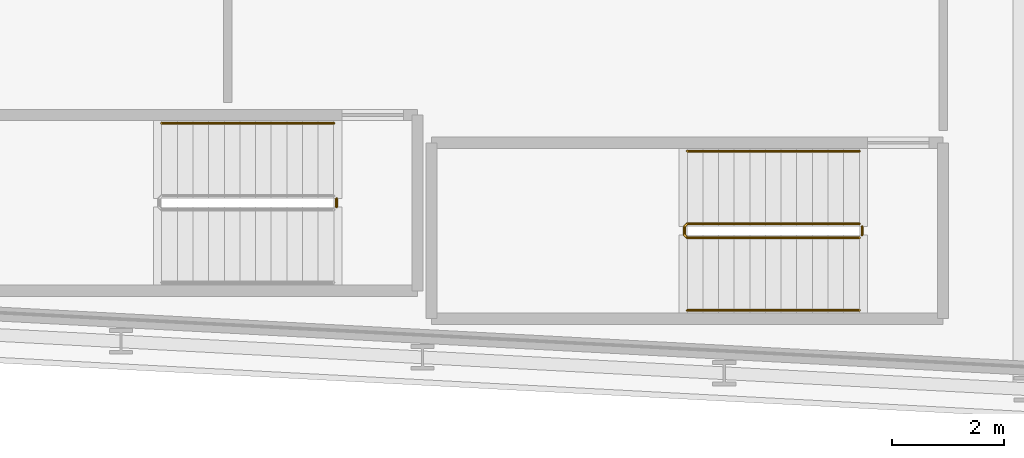
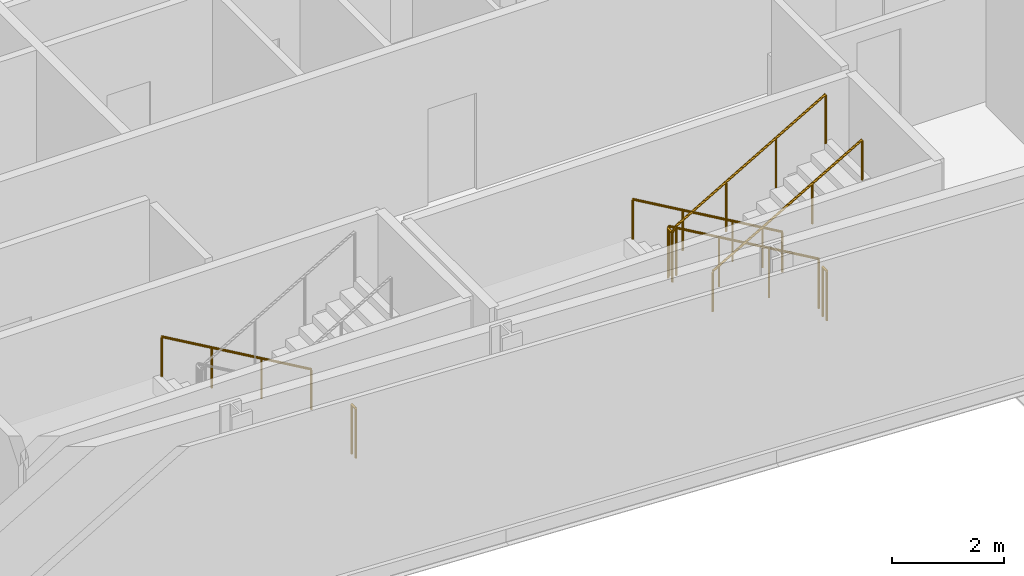
# One storey, part 23 of 26: 6 railings.
"""IFC4 building model written with IfcOpenShell, lengths in metres."""

from ifc_helpers import new_model, si_unit, direction, frame, origin, origin_2d, place, context, subcontext, project, spatial, circle, extrude, material, type_object, element, save


model = new_model("IFC4")

# Units and contexts
model_context = context("Model", 3, precision=1e-05, world=origin(), true_north=direction((0.0, 1.0)))
body_context = subcontext(model_context, "Body", "Model", "MODEL_VIEW")
ifc_project = project(units=[si_unit("LENGTHUNIT", "METRE"), si_unit("AREAUNIT", "SQUARE_METRE"), si_unit("VOLUMEUNIT", "CUBIC_METRE"), si_unit("PLANEANGLEUNIT", "RADIAN"), si_unit("MASSUNIT", "GRAM", prefix="KILO")], contexts=[model_context])

# Site, building, storey
site_placement = place(None, origin())
site = spatial("IfcSite", under=ifc_project, at=site_placement, CompositionType="ELEMENT")
building_placement = place(site_placement, origin())
building = spatial("IfcBuilding", under=site, at=building_placement, Name="Kheshtan School and Residences Tower", CompositionType="ELEMENT")
storey_placement = place(building_placement, frame((0.0, 0.0, 105.800048828125)))
storey = spatial("IfcBuildingStorey", under=building, at=storey_placement, Name="L24", CompositionType="ELEMENT", Elevation=105.800048828125)

# Railings
ifc_material_1 = material(Name="Stainless steel balustrade", Category="steel")
railing_type_1 = type_object("IfcRailingType", Name="Stair guard 1100", PredefinedType="GUARDRAIL", material=ifc_material_1)
railing_1_placement = place(storey_placement, frame((87.820068359375, 23.949951171875, 0.162353515625)))
element("IfcRailing", 1, at=railing_1_placement, inside=storey, type_object=railing_type_1, Name="L24 ST4 stair guard 1", PredefinedType="GUARDRAIL", context=body_context, shape_type="SweptSolid", body=[
    extrude(circle(Radius=0.02392578125, at=origin_2d()), frame((0.0, 0.0, 1.076171875), z_axis=(-0.864890721111, 0.0, 0.501960198159), x_axis=(0.0, -1.0, 0.0)), (0.0, 0.0, 1.0), 3.561279296875),
    extrude(circle(Radius=0.02392578125, at=origin_2d()), frame((-3.080078125, 0.0, 2.86376953125), z_axis=(-0.707106781187, -0.707106781187, 0.0), x_axis=(0.707106781187, -0.707106781187, 0.0)), (0.0, 0.0, 1.0), 0.07080078125),
    extrude(circle(Radius=0.02392578125, at=origin_2d()), frame((-3.130126953125, -0.050048828125, 2.86376953125), z_axis=(0.0, -1.0, 0.0), x_axis=(1.0, 0.0, 0.0)), (0.0, 0.0, 1.0), 0.14990234375),
    extrude(circle(Radius=0.02392578125, at=origin_2d()), frame((-3.130126953125, -0.199951171875, 2.86376953125), z_axis=(0.282227285176, -0.282227285176, 0.916894497205), x_axis=(0.707106781187, 0.707106781187, 0.0)), (0.0, 0.0, 1.0), 0.17724609375),
    extrude(circle(Radius=0.02392578125, at=origin_2d()), frame((-3.080078125, -0.25, 3.0263671875), z_axis=(0.864920483161, 0.0, 0.501908913857), x_axis=(0.0, 1.0, 0.0)), (0.0, 0.0, 1.0), 3.56103515625),
    extrude(circle(Radius=0.02099609375, at=origin_2d()), origin(), (0.0, 0.0, 1.0), 1.052001953125),
    extrude(circle(Radius=0.02099609375, at=origin_2d()), frame((-1.026611328125, 0.0, 0.595947265625)), (0.0, 0.0, 1.0), 1.052001953125),
    extrude(circle(Radius=0.02099609375, at=origin_2d()), frame((-2.053466796875, 0.0, 1.191650390625)), (0.0, 0.0, 1.0), 1.052001953125),
    extrude(circle(Radius=0.02099609375, at=origin_2d()), frame((-3.080078125, 0.0, 1.78759765625)), (0.0, 0.0, 1.0), 1.052001953125),
    extrude(circle(Radius=0.02099609375, at=origin_2d()), frame((-3.130126953125, -0.050048828125, 1.78759765625)), (0.0, 0.0, 1.0), 1.052001953125),
    extrude(circle(Radius=0.02099609375, at=origin_2d()), frame((-3.130126953125, -0.199951171875, 1.78759765625)), (0.0, 0.0, 1.0), 1.052001953125),
    extrude(circle(Radius=0.02099609375, at=origin_2d()), frame((-3.080078125, -0.25, 1.9501953125)), (0.0, 0.0, 1.0), 1.052001953125),
    extrude(circle(Radius=0.02099609375, at=origin_2d()), frame((-2.053466796875, -0.25, 2.5458984375)), (0.0, 0.0, 1.0), 1.052001953125),
    extrude(circle(Radius=0.02099609375, at=origin_2d()), frame((-1.026611328125, -0.25, 3.141845703125)), (0.0, 0.0, 1.0), 1.052001953125),
    extrude(circle(Radius=0.02099609375, at=origin_2d()), frame((0.0, -0.25, 3.737548828125)), (0.0, 0.0, 1.0), 1.052001953125),
])
for number, where, name in (
    (2, (87.8701171875, 23.89990234375, 0.0), "L24 ST4 stair guard 2"),
    (3, (78.4599609375, 24.39990234375, 0.0), "L24 ST5 stair guard 2"),
):
    element("IfcRailing", number, at=place(storey_placement, frame(where)), inside=storey, type_object=railing_type_1, Name=name, PredefinedType="GUARDRAIL", context=body_context, shape_type="SweptSolid", body=[
        extrude(circle(Radius=0.02392578125, at=origin_2d()), frame((0.0, 0.0, 1.076171875), z_axis=(0.0, -1.0, 0.0), x_axis=(1.0, 0.0, 0.0)), (0.0, 0.0, 1.0), 0.14990234375),
        extrude(circle(Radius=0.02099609375, at=origin_2d()), origin(), (0.0, 0.0, 1.0), 1.052001953125),
        extrude(circle(Radius=0.02099609375, at=origin_2d()), frame((0.0, -0.14990234375, 0.0)), (0.0, 0.0, 1.0), 1.052001953125),
    ])
ifc_material_2 = material(Name="Stainless steel handrail", Category="steel")
railing_type_2 = type_object("IfcRailingType", Name="Stair handrail 900", PredefinedType="HANDRAIL", material=ifc_material_2)
railing_2_placement = place(storey_placement, frame((87.820068359375, 25.25, 0.162353515625)))
element("IfcRailing", 4, at=railing_2_placement, inside=storey, type_object=railing_type_2, Name="L24 ST4 stair handrail 1", PredefinedType="HANDRAIL", context=body_context, shape_type="SweptSolid", body=[
    extrude(circle(Radius=0.02392578125, at=origin_2d()), frame((0.0, 0.0, 0.8759765625), z_axis=(-0.864890721111, 0.0, 0.501960198159), x_axis=(0.0, -1.0, 0.0)), (0.0, 0.0, 1.0), 3.561279296875),
    extrude(circle(Radius=0.02099609375, at=origin_2d()), origin(), (0.0, 0.0, 1.0), 0.851806640625),
    extrude(circle(Radius=0.02099609375, at=origin_2d()), frame((-1.026611328125, 0.0, 0.595947265625)), (0.0, 0.0, 1.0), 0.851806640625),
    extrude(circle(Radius=0.02099609375, at=origin_2d()), frame((-2.053466796875, 0.0, 1.191650390625)), (0.0, 0.0, 1.0), 0.851806640625),
    extrude(circle(Radius=0.02099609375, at=origin_2d()), frame((-3.080078125, 0.0, 1.78759765625)), (0.0, 0.0, 1.0), 0.851806640625),
])
railing_3_placement = place(storey_placement, frame((84.739990234375, 22.39990234375, 2.112548828125)))
element("IfcRailing", 5, at=railing_3_placement, inside=storey, type_object=railing_type_2, Name="L24 ST4 stair handrail 2", PredefinedType="HANDRAIL", context=body_context, shape_type="SweptSolid", body=[
    extrude(circle(Radius=0.02392578125, at=origin_2d()), frame((0.0, 0.0, 0.8759765625), z_axis=(0.864920483161, 0.0, 0.501908913857), x_axis=(0.0, 1.0, 0.0)), (0.0, 0.0, 1.0), 3.56103515625),
    extrude(circle(Radius=0.02099609375, at=origin_2d()), origin(), (0.0, 0.0, 1.0), 0.851806640625),
    extrude(circle(Radius=0.02099609375, at=origin_2d()), frame((1.026611328125, 0.0, 0.595703125)), (0.0, 0.0, 1.0), 0.851806640625),
    extrude(circle(Radius=0.02099609375, at=origin_2d()), frame((2.053466796875, 0.0, 1.191650390625)), (0.0, 0.0, 1.0), 0.851806640625),
    extrude(circle(Radius=0.02099609375, at=origin_2d()), frame((3.080078125, 0.0, 1.787353515625)), (0.0, 0.0, 1.0), 0.851806640625),
])
railing_4_placement = place(storey_placement, frame((78.409912109375, 25.75, 0.162353515625)))
element("IfcRailing", 6, at=railing_4_placement, inside=storey, type_object=railing_type_2, Name="L24 ST5 stair handrail 1", PredefinedType="HANDRAIL", context=body_context, shape_type="SweptSolid", body=[
    extrude(circle(Radius=0.02392578125, at=origin_2d()), frame((0.0, 0.0, 0.8759765625), z_axis=(-0.864873446163, 0.0, 0.501989962173), x_axis=(0.0, -1.0, 0.0)), (0.0, 0.0, 1.0), 3.56103515625),
    extrude(circle(Radius=0.02099609375, at=origin_2d()), origin(), (0.0, 0.0, 1.0), 0.851806640625),
    extrude(circle(Radius=0.02099609375, at=origin_2d()), frame((-1.026611328125, 0.0, 0.595947265625)), (0.0, 0.0, 1.0), 0.851806640625),
    extrude(circle(Radius=0.02099609375, at=origin_2d()), frame((-2.05322265625, 0.0, 1.191650390625)), (0.0, 0.0, 1.0), 0.851806640625),
    extrude(circle(Radius=0.02099609375, at=origin_2d()), frame((-3.079833984375, 0.0, 1.78759765625)), (0.0, 0.0, 1.0), 0.851806640625),
])

save(model, "model.ifc")
